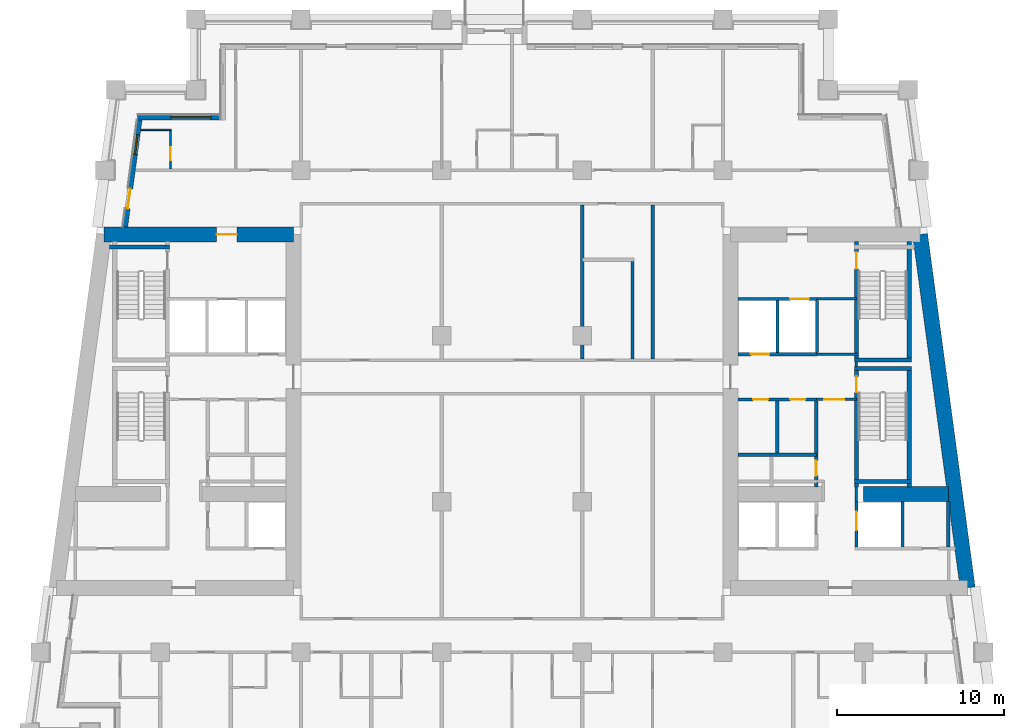
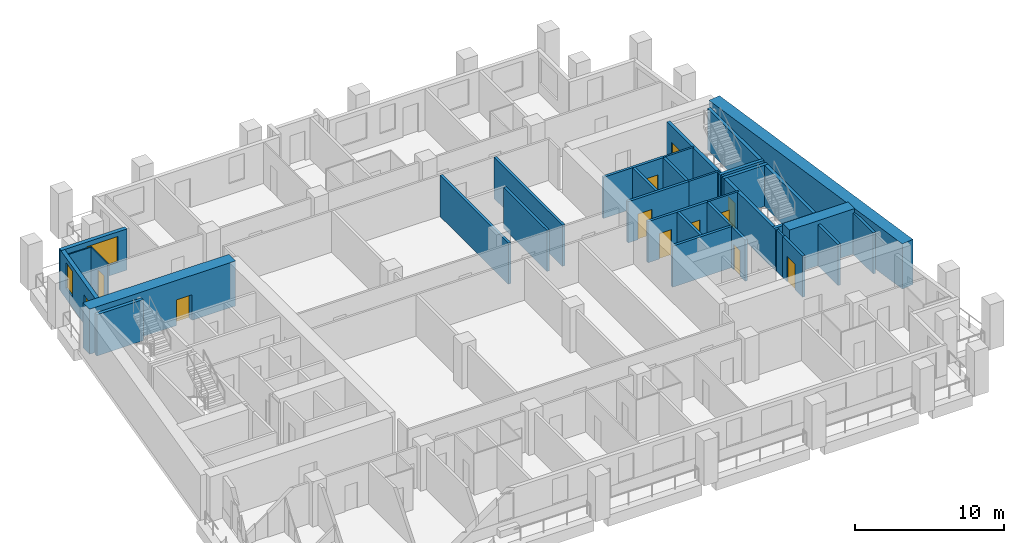
# One storey, part 6 of 13: 34 walls, 12 doors, 2 windows, 14 openings.
"""IFC4 building model written with IfcOpenShell, lengths in metres."""

import ifcopenshell
import ifcopenshell.guid

model = None  # the IFC model being written
_history = None  # IfcOwnerHistory: only IFC2X3 demands one
_inside = {}  # id of a spatial element -> (the spatial element, [elements in it])
_under = {}  # id of a project, library or spatial element -> (it, [spatial elements below it])
_declared = {}  # id of a project -> (the project, [libraries it declares])
_typed = {}  # id of a type object -> (the type object, [elements of that type])
_made_of = {}  # id of a material, layer set ... -> (it, [elements and type objects made of it])


def new_model(schema):
    """Start an empty IFC model of exactly this schema.

    Asked for "IFC4X3", IfcOpenShell would pick the latest addendum, in which some entities
    have other attributes; the version numbers below select the first issue.
    IFC2X3 requires an IfcOwnerHistory on every rooted entity: one is made here for all.
    """
    global model, _history
    if schema == "IFC4X3":
        model = ifcopenshell.file(schema_version=(4, 3, 0, 0))
    else:
        model = ifcopenshell.file(schema=schema)
    _inside.clear()
    _under.clear()
    _declared.clear()
    _typed.clear()
    _made_of.clear()
    _history = None
    if model.schema == "IFC2X3":
        org = make("IfcOrganization", Name="unknown")
        user = make(
            "IfcPersonAndOrganization",
            ThePerson=make("IfcPerson", FamilyName="unknown"),
            TheOrganization=org,
        )
        app = make(
            "IfcApplication",
            ApplicationDeveloper=org,
            Version="unknown",
            ApplicationFullName="unknown",
            ApplicationIdentifier="unknown",
        )
        _history = make(
            "IfcOwnerHistory",
            OwningUser=user,
            OwningApplication=app,
            ChangeAction="ADDED",
            CreationDate=0,
        )
    return model


def make(cls, **values):
    """One entity of the class cls with the attributes given. An attribute that is None is left unset."""
    return model.create_entity(
        cls, **{name: value for name, value in values.items() if value is not None}
    )


def rooted(cls, **values):
    """An entity with a GlobalId (a new one), such as an element, a storey or a relation."""
    return make(cls, GlobalId=ifcopenshell.guid.new(), OwnerHistory=_history, **values)


def si_unit(unit_type, name, prefix=None):
    """IfcSIUnit, for example si_unit("LENGTHUNIT", "METRE", prefix="MILLI")."""
    return make("IfcSIUnit", UnitType=unit_type, Prefix=prefix, Name=name)


def assignment(units):
    """IfcUnitAssignment: the units of a project."""
    return None if units is None else make("IfcUnitAssignment", Units=units)


def point(xyz):
    """IfcCartesianPoint."""
    return None if xyz is None else make("IfcCartesianPoint", Coordinates=xyz)


def direction(xyz):
    """IfcDirection."""
    return None if xyz is None else make("IfcDirection", DirectionRatios=xyz)


def frame(location, z_axis=None, x_axis=None):
    """IfcAxis2Placement3D, a coordinate frame: its origin and axes. An axis left out is left unset."""
    return make(
        "IfcAxis2Placement3D",
        Location=point(location),
        Axis=direction(z_axis),
        RefDirection=direction(x_axis),
    )


def frame_2d(location, x_axis=None):
    """IfcAxis2Placement2D, a coordinate frame in the plane: its origin and x axis."""
    return make(
        "IfcAxis2Placement2D", Location=point(location), RefDirection=direction(x_axis)
    )


def origin():
    """The frame at (0, 0, 0) with its axes left unset."""
    return frame((0.0, 0.0, 0.0))


def place(relative_to, where):
    """IfcLocalPlacement: puts the frame where relative to a parent placement (None: the world)."""
    return make(
        "IfcLocalPlacement", PlacementRelTo=relative_to, RelativePlacement=where
    )


def context(
    kind, dimensions, precision=None, world=None, true_north=None, identifier=None
):
    """IfcGeometricRepresentationContext, for example the 3D "Model" context."""
    return make(
        "IfcGeometricRepresentationContext",
        ContextIdentifier=identifier,
        ContextType=kind,
        CoordinateSpaceDimension=dimensions,
        Precision=precision,
        WorldCoordinateSystem=world,
        TrueNorth=true_north,
    )


def subcontext(parent, identifier, kind, view, scale=None):
    """IfcGeometricRepresentationSubContext, for example "Body" below "Model"."""
    return make(
        "IfcGeometricRepresentationSubContext",
        ContextIdentifier=identifier,
        ContextType=kind,
        ParentContext=parent,
        TargetScale=scale,
        TargetView=view,
    )


def project(units=None, contexts=None):
    """IfcProject with its units and contexts."""
    return rooted(
        "IfcProject",
        Name="project",
        RepresentationContexts=contexts,
        UnitsInContext=assignment(units),
    )


def spatial(cls, under=None, at=None, **own):
    """A site, building, storey or space (cls), placed at a placement, below another one or the project."""
    s = rooted(cls, ObjectPlacement=at, **own)
    if under is not None:
        _under.setdefault(under.id(), (under, []))[1].append(s)
    return s


def profile(cls, at=None, kind="AREA", **sizes):
    """A parametric profile (cls). Its sizes go by their IFC names, for example OverallWidth=200.0."""
    return make(cls, ProfileType=kind, Position=at, **sizes)


def rectangle(**sizes):
    """IfcRectangleProfileDef."""
    return profile("IfcRectangleProfileDef", **sizes)


def extrude(swept, where, along, depth):
    """IfcExtrudedAreaSolid: the profile swept, set in the frame where, extruded along a direction by depth."""
    return make(
        "IfcExtrudedAreaSolid",
        SweptArea=swept,
        Position=where,
        ExtrudedDirection=direction(along),
        Depth=depth,
    )


def shape(context_of_items, identifier, shape_type, items):
    """IfcShapeRepresentation: the items that make up one representation, for example the "Body"."""
    return make(
        "IfcShapeRepresentation",
        ContextOfItems=context_of_items,
        RepresentationIdentifier=identifier,
        RepresentationType=shape_type,
        Items=items,
    )


def material(Name=None, Category=None):
    """IfcMaterial."""
    return make("IfcMaterial", Name=Name, Category=Category)


def layer(
    of_material, thickness, ventilated=None, Name=None, Category=None, Priority=None
):
    """IfcMaterialLayer: one layer of a wall or slab, of a material (None: an air gap)."""
    return make(
        "IfcMaterialLayer",
        Material=of_material,
        LayerThickness=thickness,
        IsVentilated=ventilated,
        Name=Name,
        Category=Category,
        Priority=Priority,
    )


def layer_set(layers, Name=None):
    """IfcMaterialLayerSet."""
    return make("IfcMaterialLayerSet", MaterialLayers=layers, LayerSetName=Name)


def made_of(thing, what):
    """Note that an element or type object is made of a material, layer set ...; save() writes the relation."""
    if what is not None:
        _made_of.setdefault(what.id(), (what, []))[1].append(thing)
    return thing


def type_object(cls, material=None, **own):
    """A type object (cls), such as IfcWallType, which elements share."""
    return made_of(rooted(cls, **own), material)


def element(
    cls,
    number,
    at=None,
    inside=None,
    cuts=None,
    type_object=None,
    material=None,
    context=None,
    identifier="Body",
    shape_type=None,
    held_by="IfcProductDefinitionShape",
    body=None,
    shapes=None,
    **own,
):
    """One element of the class cls, such as IfcWall. Its Tag is "e" and its number.

    at: its placement. inside: the storey or other place that contains it. cuts: it is an
    opening in that element (IfcRelVoidsElement). A single representation is given by context,
    identifier, shape_type and body (its items); several are given by shapes. held_by: the class
    of the entity that holds the representations. save() writes the other relations.
    """
    e = rooted(cls, Tag="e%d" % number, ObjectPlacement=at, **own)
    if body is not None:
        shapes = [shape(context, identifier, shape_type, body)]
    if shapes is not None:
        e.Representation = make(held_by, Representations=shapes)
    if inside is not None:
        _inside.setdefault(inside.id(), (inside, []))[1].append(e)
    if cuts is not None:
        rooted(
            "IfcRelVoidsElement", RelatingBuildingElement=cuts, RelatedOpeningElement=e
        )
    if type_object is not None:
        _typed.setdefault(type_object.id(), (type_object, []))[1].append(e)
    return made_of(e, material)


def fill(opening, filler):
    """IfcRelFillsElement: the door or window that sits in an opening."""
    return rooted(
        "IfcRelFillsElement",
        RelatingOpeningElement=opening,
        RelatedBuildingElement=filler,
    )


def aggregate(whole, parts):
    """IfcRelAggregates: a whole, such as a stair, and the parts it consists of."""
    return rooted("IfcRelAggregates", RelatingObject=whole, RelatedObjects=parts)


def save(model, path):
    """Write the relations noted so far, then the file.

    IfcRelAggregates (storeys below a building ...), IfcRelContainedInSpatialStructure (elements
    in a storey), IfcRelDefinesByType, IfcRelAssociatesMaterial and IfcRelDeclares: one each for
    every whole, place, type object, material and project.
    """
    for whole, parts in _under.values():
        aggregate(whole, parts)
    for where, things in _inside.values():
        rooted(
            "IfcRelContainedInSpatialStructure",
            RelatedElements=things,
            RelatingStructure=where,
        )
    for kind, things in _typed.values():
        rooted("IfcRelDefinesByType", RelatedObjects=things, RelatingType=kind)
    for what, things in _made_of.values():
        rooted("IfcRelAssociatesMaterial", RelatedObjects=things, RelatingMaterial=what)
    for by, libraries in _declared.values():
        rooted("IfcRelDeclares", RelatingContext=by, RelatedDefinitions=libraries)
    model.write(path)


model = new_model("IFC4")

# Units and contexts
model_context = context("Model", 3, precision=1e-05, world=origin(), true_north=direction((0.0, 1.0)))
body_context = subcontext(model_context, "Body", "Model", "MODEL_VIEW")
ifc_project = project(units=[si_unit("LENGTHUNIT", "METRE"), si_unit("AREAUNIT", "SQUARE_METRE"), si_unit("VOLUMEUNIT", "CUBIC_METRE"), si_unit("PLANEANGLEUNIT", "RADIAN"), si_unit("MASSUNIT", "GRAM", prefix="KILO")], contexts=[model_context])

# Site, building, storey
site_placement = place(None, origin())
site = spatial("IfcSite", under=ifc_project, at=site_placement, CompositionType="ELEMENT")
building_placement = place(site_placement, origin())
building = spatial("IfcBuilding", under=site, at=building_placement, Name="Candeia Pilgrim Tower and Theatre", CompositionType="ELEMENT")
storey_placement = place(building_placement, frame((0.0, 0.0, 155.199951171875)))
storey = spatial("IfcBuildingStorey", under=building, at=storey_placement, Name="L36", CompositionType="ELEMENT", Elevation=155.199951171875)

# Wall, opening, door
ifc_material_1 = material(Name="Concrete C60/75", Category="concrete")
ifc_layer_1 = layer(ifc_material_1, 0.89990234375)
ifc_layer_set_1 = layer_set([ifc_layer_1], Name="Core wall 900 C60/75")
wall_type_1 = type_object("IfcWallType", Name="Core wall 900 C60/75", PredefinedType="SHEAR", material=ifc_layer_set_1)
wall_1_placement = place(storey_placement, frame((89.024169921875, 131.949951171875, 0.0), z_axis=(0.0, 0.0, 1.0), x_axis=(1.0, 0.0, 0.0)))
wall_1 = element("IfcWall", 1, at=wall_1_placement, inside=storey, type_object=wall_type_1, Name="Core wall W1", PredefinedType="SHEAR", context=body_context, shape_type="SweptSolid", body=[
    extrude(rectangle(XDim=11.325927734375, YDim=0.89990234375, at=frame_2d((5.6630859375, 0.0))), origin(), (0.0, 0.0, 1.0), 3.699951171875),
])
opening_1_placement = place(wall_1_placement, frame((6.7392578125, 0.0, 0.0)))
opening_1 = element("IfcOpeningElement", 2, at=opening_1_placement, cuts=wall_1, Name="Opening L36-D056", PredefinedType="OPENING", context=body_context, shape_type="SweptSolid", body=[
    extrude(rectangle(XDim=1.199951171875, YDim=2.10009765625, at=frame_2d((0.60009765625, 1.050048828125))), frame((0.0, 0.4599609375, 0.0), z_axis=(0.0, -1.0, 0.0), x_axis=(1.0, 0.0, 0.0)), (0.0, 0.0, 1.0), 0.919921875),
])
ifc_material_2 = material(Name="Steel fire door set", Category="steel")
door_type_1 = type_object("IfcDoorType", Name="D-1200-FD60", OperationType="NOTDEFINED", PredefinedType="DOOR", material=ifc_material_2)
door_1_placement = place(opening_1_placement, origin())
door_1 = element("IfcDoor", 3, at=door_1_placement, inside=storey, type_object=door_type_1, Name="Door L36-D056", OperationType="SINGLE_SWING_RIGHT", OverallHeight=2.10009765625, OverallWidth=1.199951171875, PredefinedType="DOOR", context=body_context, shape_type="SweptSolid", body=[
    extrude(rectangle(XDim=1.199951171875, YDim=2.10009765625, at=frame_2d((0.60009765625, 1.050048828125))), frame((0.0, 0.02490234375, 0.0), z_axis=(0.0, -1.0, 0.0), x_axis=(1.0, 0.0, 0.0)), (0.0, 0.0, 1.0), 0.050048828125),
])
fill(opening_1, door_1)

# Walls
wall_2_placement = place(storey_placement, frame((137.775634765625, 131.949951171875, 0.0), z_axis=(0.0, 0.0, 1.0), x_axis=(0.133421759112, -0.991059349482, 0.0)))
element("IfcWall", 4, at=wall_2_placement, inside=storey, type_object=wall_type_1, Name="Core wall E2", PredefinedType="SHEAR", context=body_context, shape_type="SweptSolid", body=[
    extrude(rectangle(XDim=21.290283203125, YDim=0.89990234375, at=frame_2d((10.64501953125, 0.0))), origin(), (0.0, 0.0, 1.0), 3.699951171875),
])
wall_3_placement = place(storey_placement, frame((134.39990234375, 116.449951171875, 0.0), z_axis=(0.0, 0.0, 1.0), x_axis=(1.0, 0.0, 0.0)))
element("IfcWall", 5, at=wall_3_placement, inside=storey, type_object=wall_type_1, Name="Core wall E6", PredefinedType="SHEAR", context=body_context, shape_type="SweptSolid", body=[
    extrude(rectangle(XDim=5.076904296875, YDim=0.89990234375, at=frame_2d((2.53857421875, 0.0))), origin(), (0.0, 0.0, 1.0), 3.699951171875),
])

# Wall, opening, window
ifc_material_3 = material(Name="Ceramic block masonry", Category="masonry")
ifc_layer_2 = layer(ifc_material_3, 0.300048828125)
ifc_layer_set_2 = layer_set([ifc_layer_2], Name="EW1 glazing-line wall 300")
wall_type_2 = type_object("IfcWallType", Name="EW1 glazing-line wall 300", PredefinedType="SOLIDWALL", material=ifc_layer_set_2)
wall_4_placement = place(storey_placement, frame((96.14990234375, 138.949951171875, 0.0), z_axis=(0.0, 0.0, 1.0), x_axis=(-1.0, 0.0, 0.0)))
wall_4 = element("IfcWall", 6, at=wall_4_placement, inside=storey, type_object=wall_type_2, Name="External wall L36-8.0", PredefinedType="SOLIDWALL", context=body_context, shape_type="SweptSolid", body=[
    extrude(rectangle(XDim=5.103759765625, YDim=0.300048828125, at=frame_2d((2.5517578125, 0.0))), origin(), (0.0, 0.0, 1.0), 3.380126953125),
])
opening_2_placement = place(wall_4_placement, frame((0.72509765625, 0.0, 0.89990234375)))
opening_2 = element("IfcOpeningElement", 7, at=opening_2_placement, cuts=wall_4, Name="Opening W-A", PredefinedType="OPENING", context=body_context, shape_type="SweptSolid", body=[
    extrude(rectangle(XDim=2.39990234375, YDim=2.10009765625, at=frame_2d((1.199951171875, 1.050048828125))), frame((0.0, 0.16015625, 0.0), z_axis=(0.0, -1.0, 0.0), x_axis=(1.0, 0.0, 0.0)), (0.0, 0.0, 1.0), 0.320068359375),
])
ifc_material_4 = material(Name="Aluminium framed double glazing", Category="aluminium")
window_type_1 = type_object("IfcWindowType", Name="W-A window 2400x2100", PartitioningType="DOUBLE_PANEL_VERTICAL", PredefinedType="WINDOW", material=ifc_material_4)
window_1_placement = place(opening_2_placement, origin())
window_1 = element("IfcWindow", 8, at=window_1_placement, inside=storey, type_object=window_type_1, Name="Window W-A L36", OverallHeight=2.10009765625, OverallWidth=2.39990234375, PartitioningType="SINGLE_PANEL", PredefinedType="WINDOW", context=body_context, shape_type="SweptSolid", body=[
    extrude(rectangle(XDim=2.39990234375, YDim=2.10009765625, at=frame_2d((1.199951171875, 1.050048828125))), frame((0.0, 0.030029296875, 0.0), z_axis=(0.0, -1.0, 0.0), x_axis=(1.0, 0.0, 0.0)), (0.0, 0.0, 1.0), 0.06005859375),
])
fill(opening_2, window_1)

# Wall, openings, door, window
wall_5_placement = place(storey_placement, frame((91.177490234375, 138.949951171875, 0.0), z_axis=(0.0, 0.0, 1.0), x_axis=(-0.133426664613, -0.991058689065, 0.0)))
wall_5 = element("IfcWall", 9, at=wall_5_placement, inside=storey, type_object=wall_type_2, Name="External wall L36-9.0", PredefinedType="SOLIDWALL", context=body_context, shape_type="SweptSolid", body=[
    extrude(rectangle(XDim=6.609130859375, YDim=0.300048828125, at=frame_2d((3.3046875, 0.0))), origin(), (0.0, 0.0, 1.0), 3.380126953125),
])
opening_3_placement = place(wall_5_placement, frame((1.039306640625, 0.0, 0.89990234375)))
opening_3 = element("IfcOpeningElement", 10, at=opening_3_placement, cuts=wall_5, Name="Opening W-B", PredefinedType="OPENING", context=body_context, shape_type="SweptSolid", body=[
    extrude(rectangle(XDim=1.199951171875, YDim=2.10009765625, at=frame_2d((0.60009765625, 1.050048828125))), frame((0.0, 0.16015625, 0.0), z_axis=(0.0, -1.0, 0.0), x_axis=(1.0, 0.0, 0.0)), (0.0, 0.0, 1.0), 0.320068359375),
])
opening_4_placement = place(wall_5_placement, frame((4.293701171875, 0.0, 0.0)))
opening_4 = element("IfcOpeningElement", 11, at=opening_4_placement, cuts=wall_5, Name="Opening L36-ED351", PredefinedType="OPENING", context=body_context, shape_type="SweptSolid", body=[
    extrude(rectangle(XDim=1.199951171875, YDim=2.39990234375, at=frame_2d((0.60009765625, 1.199951171875))), frame((0.0, 0.16015625, 0.0), z_axis=(0.0, -1.0, 0.0), x_axis=(1.0, 0.0, 0.0)), (0.0, 0.0, 1.0), 0.320068359375),
])
ifc_material_5 = material(Name="Aluminium framed glazed door", Category="aluminium")
door_type_2 = type_object("IfcDoorType", Name="Loggia door 1200x2400", OperationType="DOUBLE_DOOR_SINGLE_SWING", PredefinedType="DOOR", material=ifc_material_5)
door_2_placement = place(opening_4_placement, origin())
door_2 = element("IfcDoor", 12, at=door_2_placement, inside=storey, type_object=door_type_2, Name="Loggia door L36-ED351", OperationType="DOUBLE_DOOR_SINGLE_SWING", OverallHeight=2.39990234375, OverallWidth=1.199951171875, PredefinedType="DOOR", context=body_context, shape_type="SweptSolid", body=[
    extrude(rectangle(XDim=1.199951171875, YDim=2.39990234375, at=frame_2d((0.60009765625, 1.199951171875))), frame((0.0, 0.02490234375, 0.0), z_axis=(0.0, -1.0, 0.0), x_axis=(1.0, 0.0, 0.0)), (0.0, 0.0, 1.0), 0.050048828125),
])
fill(opening_4, door_2)
window_type_2 = type_object("IfcWindowType", Name="W-B window 1200x2100", PartitioningType="SINGLE_PANEL", PredefinedType="WINDOW", material=ifc_material_4)
window_2_placement = place(opening_3_placement, origin())
window_2 = element("IfcWindow", 13, at=window_2_placement, inside=storey, type_object=window_type_2, Name="Window W-B L36", OverallHeight=2.10009765625, OverallWidth=1.199951171875, PartitioningType="SINGLE_PANEL", PredefinedType="WINDOW", context=body_context, shape_type="SweptSolid", body=[
    extrude(rectangle(XDim=1.199951171875, YDim=2.10009765625, at=frame_2d((0.60009765625, 1.050048828125))), frame((0.0, 0.030029296875, 0.0), z_axis=(0.0, -1.0, 0.0), x_axis=(1.0, 0.0, 0.0)), (0.0, 0.0, 1.0), 0.06005859375),
])
fill(opening_3, window_2)

# Wall
ifc_material_6 = material(Name="Gypsum board partition on steel studs", Category="steel")
ifc_layer_3 = layer(ifc_material_6, 0.10009765625)
ifc_layer_set_3 = layer_set([ifc_layer_3], Name="PW-100 room partition")
wall_type_3 = type_object("IfcWallType", Name="PW-100 room partition", PredefinedType="PARTITIONING", material=ifc_layer_set_3)
wall_6_placement = place(storey_placement, frame((91.2177734375, 138.199951171875, 0.0), z_axis=(0.0, 0.0, 1.0), x_axis=(1.0, 0.0, 0.0)))
element("IfcWall", 14, at=wall_6_placement, inside=storey, type_object=wall_type_3, Name="Room partition L36-044", PredefinedType="PARTITIONING", context=body_context, shape_type="SweptSolid", body=[
    extrude(rectangle(XDim=1.832275390625, YDim=0.10009765625, at=frame_2d((0.916015625, 0.0))), origin(), (0.0, 0.0, 1.0), 3.380126953125),
])

# Wall, opening, door
wall_7_placement = place(storey_placement, frame((93.0, 135.875, 0.0), z_axis=(0.0, 0.0, 1.0), x_axis=(0.0, 1.0, 0.0)))
wall_7 = element("IfcWall", 15, at=wall_7_placement, inside=storey, type_object=wall_type_3, Name="Room partition L36-058", PredefinedType="PARTITIONING", context=body_context, shape_type="SweptSolid", body=[
    extrude(rectangle(XDim=2.27490234375, YDim=0.10009765625, at=frame_2d((1.137451171875, 0.0))), origin(), (0.0, 0.0, 1.0), 3.380126953125),
])
opening_5_placement = place(wall_7_placement, frame((0.5, 0.0, 0.0)))
opening_5 = element("IfcOpeningElement", 16, at=opening_5_placement, cuts=wall_7, Name="Opening L36-D037", PredefinedType="OPENING", context=body_context, shape_type="SweptSolid", body=[
    extrude(rectangle(XDim=0.800048828125, YDim=2.10009765625, at=frame_2d((0.39990234375, 1.050048828125))), frame((0.0, 0.06005859375, 0.0), z_axis=(0.0, -1.0, 0.0), x_axis=(1.0, 0.0, 0.0)), (0.0, 0.0, 1.0), 0.1201171875),
])
ifc_material_7 = material(Name="Timber door leaf", Category="wood")
door_type_3 = type_object("IfcDoorType", Name="D-800", OperationType="NOTDEFINED", PredefinedType="DOOR", material=ifc_material_7)
door_3_placement = place(opening_5_placement, origin())
door_3 = element("IfcDoor", 17, at=door_3_placement, inside=storey, type_object=door_type_3, Name="Door L36-D037", OperationType="SINGLE_SWING_LEFT", OverallHeight=2.10009765625, OverallWidth=0.800048828125, PredefinedType="DOOR", context=body_context, shape_type="SweptSolid", body=[
    extrude(rectangle(XDim=0.800048828125, YDim=2.10009765625, at=frame_2d((0.39990234375, 1.050048828125))), frame((0.0, 0.02490234375, 0.0), z_axis=(0.0, -1.0, 0.0), x_axis=(1.0, 0.0, 0.0)), (0.0, 0.0, 1.0), 0.050048828125),
])
fill(opening_5, door_3)

ifc_layer_4 = layer(ifc_material_6, 0.14990234375)
ifc_layer_set_4 = layer_set([ifc_layer_4], Name="PW-150 lobby wall")
wall_type_4 = type_object("IfcWallType", Name="PW-150 lobby wall", PredefinedType="PARTITIONING", material=ifc_layer_set_4)
wall_8_placement = place(storey_placement, frame((131.572998046875, 122.10009765625, 0.0), z_axis=(0.0, 0.0, 1.0), x_axis=(1.0, 0.0, 0.0)))
wall_8 = element("IfcWall", 18, at=wall_8_placement, inside=storey, type_object=wall_type_4, Name="Lobby wall L36-025", PredefinedType="PARTITIONING", context=body_context, shape_type="SweptSolid", body=[
    extrude(rectangle(XDim=2.39990234375, YDim=0.14990234375, at=frame_2d((1.199951171875, 0.0))), origin(), (0.0, 0.0, 1.0), 3.380126953125),
])
opening_6_placement = place(wall_8_placement, frame((0.47509765625, 0.0, 0.0)))
opening_6 = element("IfcOpeningElement", 19, at=opening_6_placement, cuts=wall_8, Name="Opening L36-D009", PredefinedType="OPENING", context=body_context, shape_type="SweptSolid", body=[
    extrude(rectangle(XDim=1.199951171875, YDim=2.10009765625, at=frame_2d((0.60009765625, 1.050048828125))), frame((0.0, 0.0849609375, 0.0), z_axis=(0.0, -1.0, 0.0), x_axis=(1.0, 0.0, 0.0)), (0.0, 0.0, 1.0), 0.169921875),
])
door_4_placement = place(opening_6_placement, origin())
door_4 = element("IfcDoor", 20, at=door_4_placement, inside=storey, type_object=door_type_1, Name="Door L36-D009", OperationType="SINGLE_SWING_RIGHT", OverallHeight=2.10009765625, OverallWidth=1.199951171875, PredefinedType="DOOR", context=body_context, shape_type="SweptSolid", body=[
    extrude(rectangle(XDim=1.199951171875, YDim=2.10009765625, at=frame_2d((0.60009765625, 1.050048828125))), frame((0.0, 0.02490234375, 0.0), z_axis=(0.0, -1.0, 0.0), x_axis=(1.0, 0.0, 0.0)), (0.0, 0.0, 1.0), 0.050048828125),
])
fill(opening_6, door_4)

# Walls
wall_9_placement = place(storey_placement, frame((131.615234375, 124.800048828125, 0.0), z_axis=(0.0, 0.0, 1.0), x_axis=(1.0, 0.0, 0.0)))
element("IfcWall", 21, at=wall_9_placement, inside=storey, type_object=wall_type_4, Name="Lobby wall L36-034", PredefinedType="PARTITIONING", context=body_context, shape_type="SweptSolid", body=[
    extrude(rectangle(XDim=2.482666015625, YDim=0.14990234375, at=frame_2d((1.2412109375, 0.0))), origin(), (0.0, 0.0, 1.0), 3.380126953125),
])
wall_10_placement = place(storey_placement, frame((131.615234375, 128.10009765625, 0.0), z_axis=(0.0, 0.0, 1.0), x_axis=(1.0, 0.0, 0.0)))
element("IfcWall", 22, at=wall_10_placement, inside=storey, type_object=wall_type_4, Name="Lobby wall L36-037", PredefinedType="PARTITIONING", context=body_context, shape_type="SweptSolid", body=[
    extrude(rectangle(XDim=2.357666015625, YDim=0.14990234375, at=frame_2d((1.1787109375, 0.0))), origin(), (0.0, 0.0, 1.0), 3.380126953125),
])
wall_11_placement = place(storey_placement, frame((133.972900390625, 116.0, 0.0), z_axis=(0.0, 0.0, 1.0), x_axis=(0.0, 1.0, 0.0)))
element("IfcWall", 23, at=wall_11_placement, inside=storey, type_object=wall_type_4, Name="Lobby wall L36-110", PredefinedType="PARTITIONING", context=body_context, shape_type="SweptSolid", body=[
    extrude(rectangle(XDim=0.8701171875, YDim=0.14990234375, at=frame_2d((0.43505859375, 0.0))), origin(), (0.0, 0.0, 1.0), 3.380126953125),
])
wall_12_placement = place(storey_placement, frame((133.972900390625, 124.074951171875, 0.0), z_axis=(0.0, 0.0, 1.0), x_axis=(0.0, 1.0, 0.0)))
element("IfcWall", 24, at=wall_12_placement, inside=storey, type_object=wall_type_4, Name="Lobby wall L36-111", PredefinedType="PARTITIONING", context=body_context, shape_type="SweptSolid", body=[
    extrude(rectangle(XDim=0.25, YDim=0.14990234375, at=frame_2d((0.125, 0.0))), origin(), (0.0, 0.0, 1.0), 3.380126953125),
])
ifc_layer_5 = layer(ifc_material_6, 0.199951171875)
ifc_layer_set_5 = layer_set([ifc_layer_5], Name="PW-200 party wall")
wall_type_5 = type_object("IfcWallType", Name="PW-200 party wall", PredefinedType="PARTITIONING", material=ifc_layer_set_5)
wall_13_placement = place(storey_placement, frame((117.60009765625, 124.52490234375, 0.0), z_axis=(0.0, 0.0, 1.0), x_axis=(0.0, 1.0, 0.0)))
element("IfcWall", 25, at=wall_13_placement, inside=storey, type_object=wall_type_5, Name="Party wall L36-088", PredefinedType="PARTITIONING", context=body_context, shape_type="SweptSolid", body=[
    extrude(rectangle(XDim=9.2001953125, YDim=0.199951171875, at=frame_2d((4.60009765625, 0.0))), origin(), (0.0, 0.0, 1.0), 3.380126953125),
])
wall_14_placement = place(storey_placement, frame((120.60009765625, 124.52490234375, 0.0), z_axis=(0.0, 0.0, 1.0), x_axis=(0.0, 1.0, 0.0)))
element("IfcWall", 26, at=wall_14_placement, inside=storey, type_object=wall_type_5, Name="Party wall L36-090", PredefinedType="PARTITIONING", context=body_context, shape_type="SweptSolid", body=[
    extrude(rectangle(XDim=5.8251953125, YDim=0.199951171875, at=frame_2d((2.91259765625, 0.0))), origin(), (0.0, 0.0, 1.0), 3.380126953125),
])
wall_15_placement = place(storey_placement, frame((121.800048828125, 124.52490234375, 0.0), z_axis=(0.0, 0.0, 1.0), x_axis=(0.0, 1.0, 0.0)))
element("IfcWall", 27, at=wall_15_placement, inside=storey, type_object=wall_type_5, Name="Party wall L36-093", PredefinedType="PARTITIONING", context=body_context, shape_type="SweptSolid", body=[
    extrude(rectangle(XDim=9.2001953125, YDim=0.199951171875, at=frame_2d((4.60009765625, 0.0))), origin(), (0.0, 0.0, 1.0), 3.380126953125),
])
ifc_material_8 = material(Name="Concrete C40/50", Category="concrete")
ifc_layer_6 = layer(ifc_material_8, 0.199951171875)
ifc_layer_set_6 = layer_set([ifc_layer_6], Name="SW-200 shaft wall")
wall_type_6 = type_object("IfcWallType", Name="SW-200 shaft wall", PredefinedType="PARTITIONING", material=ifc_layer_set_6)
wall_16_placement = place(storey_placement, frame((126.89990234375, 118.800048828125, 0.0), z_axis=(0.0, 0.0, 1.0), x_axis=(1.0, 0.0, 0.0)))
element("IfcWall", 28, at=wall_16_placement, inside=storey, type_object=wall_type_6, Name="Shaft wall L36-021", PredefinedType="PARTITIONING", context=body_context, shape_type="SweptSolid", body=[
    extrude(rectangle(XDim=4.673095703125, YDim=0.199951171875, at=frame_2d((2.33642578125, 0.0))), origin(), (0.0, 0.0, 1.0), 3.380126953125),
])

# Wall, openings, doors
wall_17_placement = place(storey_placement, frame((126.89990234375, 122.10009765625, 0.0), z_axis=(0.0, 0.0, 1.0), x_axis=(1.0, 0.0, 0.0)))
wall_17 = element("IfcWall", 29, at=wall_17_placement, inside=storey, type_object=wall_type_6, Name="Shaft wall L36-023", PredefinedType="PARTITIONING", context=body_context, shape_type="SweptSolid", body=[
    extrude(rectangle(XDim=4.673095703125, YDim=0.199951171875, at=frame_2d((2.33642578125, 0.0))), origin(), (0.0, 0.0, 1.0), 3.380126953125),
])
opening_7_placement = place(wall_17_placement, frame((3.1279296875, 0.0, 0.0)))
opening_7 = element("IfcOpeningElement", 30, at=opening_7_placement, cuts=wall_17, Name="Opening L36-D010", PredefinedType="OPENING", context=body_context, shape_type="SweptSolid", body=[
    extrude(rectangle(XDim=0.89990234375, YDim=2.10009765625, at=frame_2d((0.449951171875, 1.050048828125))), frame((0.0, 0.10986328125, 0.0), z_axis=(0.0, -1.0, 0.0), x_axis=(1.0, 0.0, 0.0)), (0.0, 0.0, 1.0), 0.219970703125),
])
opening_8_placement = place(wall_17_placement, frame((0.902099609375, 0.0, 0.0)))
opening_8 = element("IfcOpeningElement", 31, at=opening_8_placement, cuts=wall_17, Name="Opening L36-D011", PredefinedType="OPENING", context=body_context, shape_type="SweptSolid", body=[
    extrude(rectangle(XDim=0.89990234375, YDim=2.10009765625, at=frame_2d((0.449951171875, 1.050048828125))), frame((0.0, 0.10986328125, 0.0), z_axis=(0.0, -1.0, 0.0), x_axis=(1.0, 0.0, 0.0)), (0.0, 0.0, 1.0), 0.219970703125),
])
door_type_4 = type_object("IfcDoorType", Name="D-900-FD60", OperationType="NOTDEFINED", PredefinedType="DOOR", material=ifc_material_2)
door_5_placement = place(opening_7_placement, origin())
door_5 = element("IfcDoor", 32, at=door_5_placement, inside=storey, type_object=door_type_4, Name="Door L36-D010", OperationType="SINGLE_SWING_LEFT", OverallHeight=2.10009765625, OverallWidth=0.89990234375, PredefinedType="DOOR", context=body_context, shape_type="SweptSolid", body=[
    extrude(rectangle(XDim=0.89990234375, YDim=2.10009765625, at=frame_2d((0.449951171875, 1.050048828125))), frame((0.0, 0.02490234375, 0.0), z_axis=(0.0, -1.0, 0.0), x_axis=(1.0, 0.0, 0.0)), (0.0, 0.0, 1.0), 0.050048828125),
])
fill(opening_7, door_5)
door_6_placement = place(opening_8_placement, origin())
door_6 = element("IfcDoor", 33, at=door_6_placement, inside=storey, type_object=door_type_4, Name="Door L36-D011", OperationType="SINGLE_SWING_RIGHT", OverallHeight=2.10009765625, OverallWidth=0.89990234375, PredefinedType="DOOR", context=body_context, shape_type="SweptSolid", body=[
    extrude(rectangle(XDim=0.89990234375, YDim=2.10009765625, at=frame_2d((0.449951171875, 1.050048828125))), frame((0.0, 0.02490234375, 0.0), z_axis=(0.0, -1.0, 0.0), x_axis=(1.0, 0.0, 0.0)), (0.0, 0.0, 1.0), 0.050048828125),
])
fill(opening_8, door_6)

# Wall, opening, door
wall_18_placement = place(storey_placement, frame((126.89990234375, 124.800048828125, 0.0), z_axis=(0.0, 0.0, 1.0), x_axis=(1.0, 0.0, 0.0)))
wall_18 = element("IfcWall", 34, at=wall_18_placement, inside=storey, type_object=wall_type_6, Name="Shaft wall L36-033", PredefinedType="PARTITIONING", context=body_context, shape_type="SweptSolid", body=[
    extrude(rectangle(XDim=4.71533203125, YDim=0.199951171875, at=frame_2d((2.357666015625, 0.0))), origin(), (0.0, 0.0, 1.0), 3.380126953125),
])
opening_9_placement = place(wall_18_placement, frame((0.76806640625, 0.0, 0.0)))
opening_9 = element("IfcOpeningElement", 35, at=opening_9_placement, cuts=wall_18, Name="Opening L36-LD05", PredefinedType="OPENING", context=body_context, shape_type="SweptSolid", body=[
    extrude(rectangle(XDim=1.10009765625, YDim=2.10009765625, at=frame_2d((0.550048828125, 1.050048828125))), frame((0.0, 0.10986328125, 0.0), z_axis=(0.0, -1.0, 0.0), x_axis=(1.0, 0.0, 0.0)), (0.0, 0.0, 1.0), 0.219970703125),
])
ifc_material_9 = material(Name="Glazed aluminium landing door", Category="aluminium")
door_type_5 = type_object("IfcDoorType", Name="LD-1100-EI120", OperationType="SLIDING_TO_LEFT", PredefinedType="DOOR", material=ifc_material_9)
door_7_placement = place(opening_9_placement, origin())
door_7 = element("IfcDoor", 36, at=door_7_placement, inside=storey, type_object=door_type_5, Name="Landing door 05 L36", OperationType="SLIDING_TO_LEFT", OverallHeight=2.10009765625, OverallWidth=1.10009765625, PredefinedType="DOOR", context=body_context, shape_type="SweptSolid", body=[
    extrude(rectangle(XDim=1.10009765625, YDim=2.10009765625, at=frame_2d((0.550048828125, 1.050048828125))), frame((0.0, 0.02490234375, 0.0), z_axis=(0.0, -1.0, 0.0), x_axis=(1.0, 0.0, 0.0)), (0.0, 0.0, 1.0), 0.050048828125),
])
fill(opening_9, door_7)

wall_19_placement = place(storey_placement, frame((126.89990234375, 128.10009765625, 0.0), z_axis=(0.0, 0.0, 1.0), x_axis=(1.0, 0.0, 0.0)))
wall_19 = element("IfcWall", 37, at=wall_19_placement, inside=storey, type_object=wall_type_6, Name="Shaft wall L36-036", PredefinedType="PARTITIONING", context=body_context, shape_type="SweptSolid", body=[
    extrude(rectangle(XDim=4.71533203125, YDim=0.199951171875, at=frame_2d((2.357666015625, 0.0))), origin(), (0.0, 0.0, 1.0), 3.380126953125),
])
opening_10_placement = place(wall_19_placement, frame((3.1259765625, 0.0, 0.0)))
opening_10 = element("IfcOpeningElement", 38, at=opening_10_placement, cuts=wall_19, Name="Opening L36-LD04", PredefinedType="OPENING", context=body_context, shape_type="SweptSolid", body=[
    extrude(rectangle(XDim=1.10009765625, YDim=2.10009765625, at=frame_2d((0.550048828125, 1.050048828125))), frame((0.0, 0.10986328125, 0.0), z_axis=(0.0, -1.0, 0.0), x_axis=(1.0, 0.0, 0.0)), (0.0, 0.0, 1.0), 0.219970703125),
])
door_8_placement = place(opening_10_placement, origin())
door_8 = element("IfcDoor", 39, at=door_8_placement, inside=storey, type_object=door_type_5, Name="Landing door 04 L36", OperationType="SLIDING_TO_LEFT", OverallHeight=2.10009765625, OverallWidth=1.10009765625, PredefinedType="DOOR", context=body_context, shape_type="SweptSolid", body=[
    extrude(rectangle(XDim=1.10009765625, YDim=2.10009765625, at=frame_2d((0.550048828125, 1.050048828125))), frame((0.0, 0.02490234375, 0.0), z_axis=(0.0, -1.0, 0.0), x_axis=(1.0, 0.0, 0.0)), (0.0, 0.0, 1.0), 0.050048828125),
])
fill(opening_10, door_8)

# Walls
for number, where, z_axis, x_axis, name in (
    (40, (129.236572265625, 118.89990234375, 0.0), (0.0, 0.0, 1.0), (0.0, 1.0, 0.0), "Shaft wall L36-101"),
    (41, (129.2578125, 124.89990234375, 0.0), (0.0, 0.0, 1.0), (0.0, 1.0, 0.0), "Shaft wall L36-102"),
):
    element("IfcWall", number, at=place(storey_placement, frame(where, z_axis=z_axis, x_axis=x_axis)), inside=storey, type_object=wall_type_6, Name=name, PredefinedType="PARTITIONING", context=body_context, shape_type="SweptSolid", body=[
        extrude(rectangle(XDim=3.10009765625, YDim=0.199951171875, at=frame_2d((1.550048828125, 0.0))), origin(), (0.0, 0.0, 1.0), 3.380126953125),
    ])

# Wall, opening, door
wall_20_placement = place(storey_placement, frame((131.572998046875, 116.8701171875, 0.0), z_axis=(0.0, 0.0, 1.0), x_axis=(0.0, 1.0, 0.0)))
wall_20 = element("IfcWall", 42, at=wall_20_placement, inside=storey, type_object=wall_type_6, Name="Shaft wall L36-105", PredefinedType="PARTITIONING", context=body_context, shape_type="SweptSolid", body=[
    extrude(rectangle(XDim=5.1298828125, YDim=0.199951171875, at=frame_2d((2.56494140625, 0.0))), origin(), (0.0, 0.0, 1.0), 3.380126953125),
])
opening_11_placement = place(wall_20_placement, frame((0.679931640625, 0.0, 0.0)))
opening_11 = element("IfcOpeningElement", 43, at=opening_11_placement, cuts=wall_20, Name="Opening L36-D014", PredefinedType="OPENING", context=body_context, shape_type="SweptSolid", body=[
    extrude(rectangle(XDim=0.89990234375, YDim=2.10009765625, at=frame_2d((0.449951171875, 1.050048828125))), frame((0.0, 0.10986328125, 0.0), z_axis=(0.0, -1.0, 0.0), x_axis=(1.0, 0.0, 0.0)), (0.0, 0.0, 1.0), 0.219970703125),
])
door_9_placement = place(opening_11_placement, origin())
door_9 = element("IfcDoor", 44, at=door_9_placement, inside=storey, type_object=door_type_4, Name="Door L36-D014", OperationType="SINGLE_SWING_LEFT", OverallHeight=2.10009765625, OverallWidth=0.89990234375, PredefinedType="DOOR", context=body_context, shape_type="SweptSolid", body=[
    extrude(rectangle(XDim=0.89990234375, YDim=2.10009765625, at=frame_2d((0.449951171875, 1.050048828125))), frame((0.0, 0.02490234375, 0.0), z_axis=(0.0, -1.0, 0.0), x_axis=(1.0, 0.0, 0.0)), (0.0, 0.0, 1.0), 0.050048828125),
])
fill(opening_11, door_9)

# Wall
wall_21_placement = place(storey_placement, frame((131.615234375, 124.89990234375, 0.0), z_axis=(0.0, 0.0, 1.0), x_axis=(0.0, 1.0, 0.0)))
element("IfcWall", 45, at=wall_21_placement, inside=storey, type_object=wall_type_6, Name="Shaft wall L36-106", PredefinedType="PARTITIONING", context=body_context, shape_type="SweptSolid", body=[
    extrude(rectangle(XDim=3.10009765625, YDim=0.199951171875, at=frame_2d((1.550048828125, 0.0))), origin(), (0.0, 0.0, 1.0), 3.380126953125),
])

# Wall, opening, door
wall_22_placement = place(storey_placement, frame((133.972900390625, 113.300048828125, 0.0), z_axis=(0.0, 0.0, 1.0), x_axis=(0.0, 1.0, 0.0)))
wall_22 = element("IfcWall", 46, at=wall_22_placement, inside=storey, type_object=wall_type_6, Name="Shaft wall L36-109", PredefinedType="PARTITIONING", context=body_context, shape_type="SweptSolid", body=[
    extrude(rectangle(XDim=2.699951171875, YDim=0.199951171875, at=frame_2d((1.35009765625, 0.0))), origin(), (0.0, 0.0, 1.0), 3.380126953125),
])
opening_12_placement = place(wall_22_placement, frame((1.0, 0.0, 0.0)))
opening_12 = element("IfcOpeningElement", 47, at=opening_12_placement, cuts=wall_22, Name="Opening L36-LD06", PredefinedType="OPENING", context=body_context, shape_type="SweptSolid", body=[
    extrude(rectangle(XDim=1.10009765625, YDim=2.10009765625, at=frame_2d((0.550048828125, 1.050048828125))), frame((0.0, 0.10986328125, 0.0), z_axis=(0.0, -1.0, 0.0), x_axis=(1.0, 0.0, 0.0)), (0.0, 0.0, 1.0), 0.219970703125),
])
door_10_placement = place(opening_12_placement, origin())
door_10 = element("IfcDoor", 48, at=door_10_placement, inside=storey, type_object=door_type_5, Name="Landing door 06 L36", OperationType="SLIDING_TO_LEFT", OverallHeight=2.10009765625, OverallWidth=1.10009765625, PredefinedType="DOOR", context=body_context, shape_type="SweptSolid", body=[
    extrude(rectangle(XDim=1.10009765625, YDim=2.10009765625, at=frame_2d((0.550048828125, 1.050048828125))), frame((0.0, 0.02490234375, 0.0), z_axis=(0.0, -1.0, 0.0), x_axis=(1.0, 0.0, 0.0)), (0.0, 0.0, 1.0), 0.050048828125),
])
fill(opening_12, door_10)

# Walls
for number, where, z_axis, x_axis, name in (
    (49, (136.722412109375, 113.300048828125, 0.0), (0.0, 0.0, 1.0), (0.0, 1.0, 0.0), "Shaft wall L36-115"),
    (50, (139.44970703125, 113.300048828125, 0.0), (0.0, 0.0, 1.0), (0.0, 1.0, 0.0), "Shaft wall L36-119"),
):
    element("IfcWall", number, at=place(storey_placement, frame(where, z_axis=z_axis, x_axis=x_axis)), inside=storey, type_object=wall_type_6, Name=name, PredefinedType="PARTITIONING", context=body_context, shape_type="SweptSolid", body=[
        extrude(rectangle(XDim=2.699951171875, YDim=0.199951171875, at=frame_2d((1.35009765625, 0.0))), origin(), (0.0, 0.0, 1.0), 3.380126953125),
    ])
ifc_layer_7 = layer(ifc_material_8, 0.25)
ifc_layer_set_7 = layer_set([ifc_layer_7], Name="SW-250 stair wall")
wall_type_7 = type_object("IfcWallType", Name="SW-250 stair wall", PredefinedType="PARTITIONING", material=ifc_layer_set_7)
for number, where, z_axis, x_axis, name in (
    (51, (133.847900390625, 117.199951171875, 0.0), (0.0, 0.0, 1.0), (1.0, 0.0, 0.0), "Stair wall L36-019"),
    (52, (133.847900390625, 123.949951171875, 0.0), (0.0, 0.0, 1.0), (1.0, 0.0, 0.0), "Stair wall L36-028"),
    (53, (133.847900390625, 124.449951171875, 0.0), (0.0, 0.0, 1.0), (1.0, 0.0, 0.0), "Stair wall L36-030"),
):
    element("IfcWall", number, at=place(storey_placement, frame(where, z_axis=z_axis, x_axis=x_axis)), inside=storey, type_object=wall_type_7, Name=name, PredefinedType="PARTITIONING", context=body_context, shape_type="SweptSolid", body=[
        extrude(rectangle(XDim=3.400146484375, YDim=0.25, at=frame_2d((1.7001953125, 0.0))), origin(), (0.0, 0.0, 1.0), 3.380126953125),
    ])
wall_23_placement = place(storey_placement, frame((89.347412109375, 131.199951171875, 0.0), z_axis=(0.0, 0.0, 1.0), x_axis=(1.0, 0.0, 0.0)))
element("IfcWall", 54, at=wall_23_placement, inside=storey, type_object=wall_type_7, Name="Stair wall L36-039", PredefinedType="PARTITIONING", context=body_context, shape_type="SweptSolid", body=[
    extrude(rectangle(XDim=3.6044921875, YDim=0.25, at=frame_2d((1.80224609375, 0.0))), origin(), (0.0, 0.0, 1.0), 3.380126953125),
])

# Wall, opening, door
wall_24_placement = place(storey_placement, frame((133.972900390625, 116.8701171875, 0.0), z_axis=(0.0, 0.0, 1.0), x_axis=(0.0, 1.0, 0.0)))
wall_24 = element("IfcWall", 55, at=wall_24_placement, inside=storey, type_object=wall_type_7, Name="Stair wall L36-112", PredefinedType="PARTITIONING", context=body_context, shape_type="SweptSolid", body=[
    extrude(rectangle(XDim=6.954833984375, YDim=0.25, at=frame_2d((3.4775390625, 0.0))), origin(), (0.0, 0.0, 1.0), 3.380126953125),
])
opening_13_placement = place(wall_24_placement, frame((5.655029296875, 0.0, 0.0)))
opening_13 = element("IfcOpeningElement", 56, at=opening_13_placement, cuts=wall_24, Name="Opening L36-D012", PredefinedType="OPENING", context=body_context, shape_type="SweptSolid", body=[
    extrude(rectangle(XDim=0.949951171875, YDim=2.10009765625, at=frame_2d((0.47509765625, 1.050048828125))), frame((0.0, 0.135009765625, 0.0), z_axis=(0.0, -1.0, 0.0), x_axis=(1.0, 0.0, 0.0)), (0.0, 0.0, 1.0), 0.27001953125),
])
door_type_6 = type_object("IfcDoorType", Name="D-950-FD60", OperationType="NOTDEFINED", PredefinedType="DOOR", material=ifc_material_2)
door_11_placement = place(opening_13_placement, origin())
door_11 = element("IfcDoor", 57, at=door_11_placement, inside=storey, type_object=door_type_6, Name="Door L36-D012", OperationType="SINGLE_SWING_LEFT", OverallHeight=2.10009765625, OverallWidth=0.949951171875, PredefinedType="DOOR", context=body_context, shape_type="SweptSolid", body=[
    extrude(rectangle(XDim=0.949951171875, YDim=2.10009765625, at=frame_2d((0.47509765625, 1.050048828125))), frame((0.0, 0.02490234375, 0.0), z_axis=(0.0, -1.0, 0.0), x_axis=(1.0, 0.0, 0.0)), (0.0, 0.0, 1.0), 0.050048828125),
])
fill(opening_13, door_11)

wall_25_placement = place(storey_placement, frame((133.972900390625, 124.574951171875, 0.0), z_axis=(0.0, 0.0, 1.0), x_axis=(0.0, 1.0, 0.0)))
wall_25 = element("IfcWall", 58, at=wall_25_placement, inside=storey, type_object=wall_type_7, Name="Stair wall L36-113", PredefinedType="PARTITIONING", context=body_context, shape_type="SweptSolid", body=[
    extrude(rectangle(XDim=6.955078125, YDim=0.25, at=frame_2d((3.4775390625, 0.0))), origin(), (0.0, 0.0, 1.0), 3.380126953125),
])
opening_14_placement = place(wall_25_placement, frame((5.324951171875, 0.0, 0.0)))
opening_14 = element("IfcOpeningElement", 59, at=opening_14_placement, cuts=wall_25, Name="Opening L36-D013", PredefinedType="OPENING", context=body_context, shape_type="SweptSolid", body=[
    extrude(rectangle(XDim=1.0, YDim=2.10009765625, at=frame_2d((0.5, 1.050048828125))), frame((0.0, 0.135009765625, 0.0), z_axis=(0.0, -1.0, 0.0), x_axis=(1.0, 0.0, 0.0)), (0.0, 0.0, 1.0), 0.27001953125),
])
door_type_7 = type_object("IfcDoorType", Name="D-1000-FD60", OperationType="NOTDEFINED", PredefinedType="DOOR", material=ifc_material_2)
door_12_placement = place(opening_14_placement, origin())
door_12 = element("IfcDoor", 60, at=door_12_placement, inside=storey, type_object=door_type_7, Name="Door L36-D013", OperationType="SINGLE_SWING_RIGHT", OverallHeight=2.10009765625, OverallWidth=1.0, PredefinedType="DOOR", context=body_context, shape_type="SweptSolid", body=[
    extrude(rectangle(XDim=1.0, YDim=2.10009765625, at=frame_2d((0.5, 1.050048828125))), frame((0.0, 0.02490234375, 0.0), z_axis=(0.0, -1.0, 0.0), x_axis=(1.0, 0.0, 0.0)), (0.0, 0.0, 1.0), 0.050048828125),
])
fill(opening_14, door_12)

# Walls
wall_26_placement = place(storey_placement, frame((137.123046875, 116.8701171875, 0.0), z_axis=(0.0, 0.0, 1.0), x_axis=(0.0, 1.0, 0.0)))
element("IfcWall", 61, at=wall_26_placement, inside=storey, type_object=wall_type_7, Name="Stair wall L36-116", PredefinedType="PARTITIONING", context=body_context, shape_type="SweptSolid", body=[
    extrude(rectangle(XDim=6.954833984375, YDim=0.25, at=frame_2d((3.4775390625, 0.0))), origin(), (0.0, 0.0, 1.0), 3.380126953125),
])
wall_27_placement = place(storey_placement, frame((137.123046875, 124.574951171875, 0.0), z_axis=(0.0, 0.0, 1.0), x_axis=(0.0, 1.0, 0.0)))
element("IfcWall", 62, at=wall_27_placement, inside=storey, type_object=wall_type_7, Name="Stair wall L36-117", PredefinedType="PARTITIONING", context=body_context, shape_type="SweptSolid", body=[
    extrude(rectangle(XDim=6.955078125, YDim=0.25, at=frame_2d((3.4775390625, 0.0))), origin(), (0.0, 0.0, 1.0), 3.380126953125),
])

save(model, "model.ifc")
